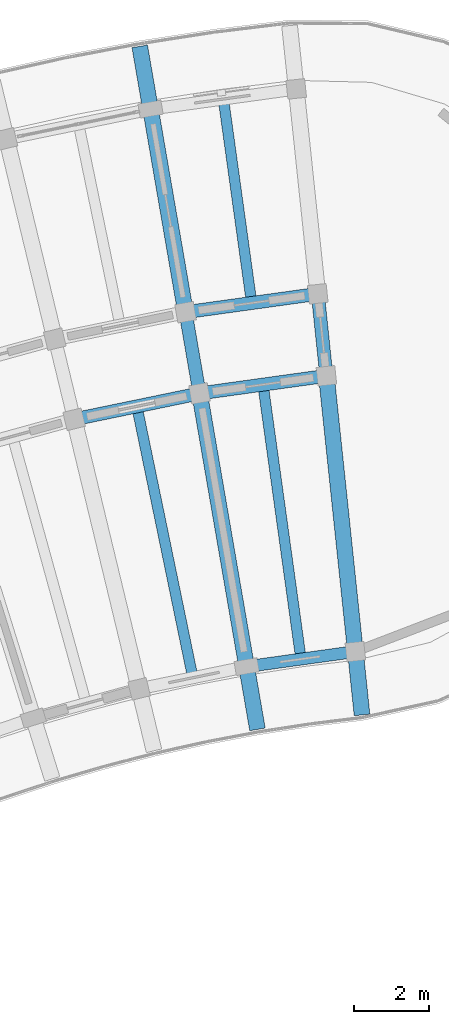
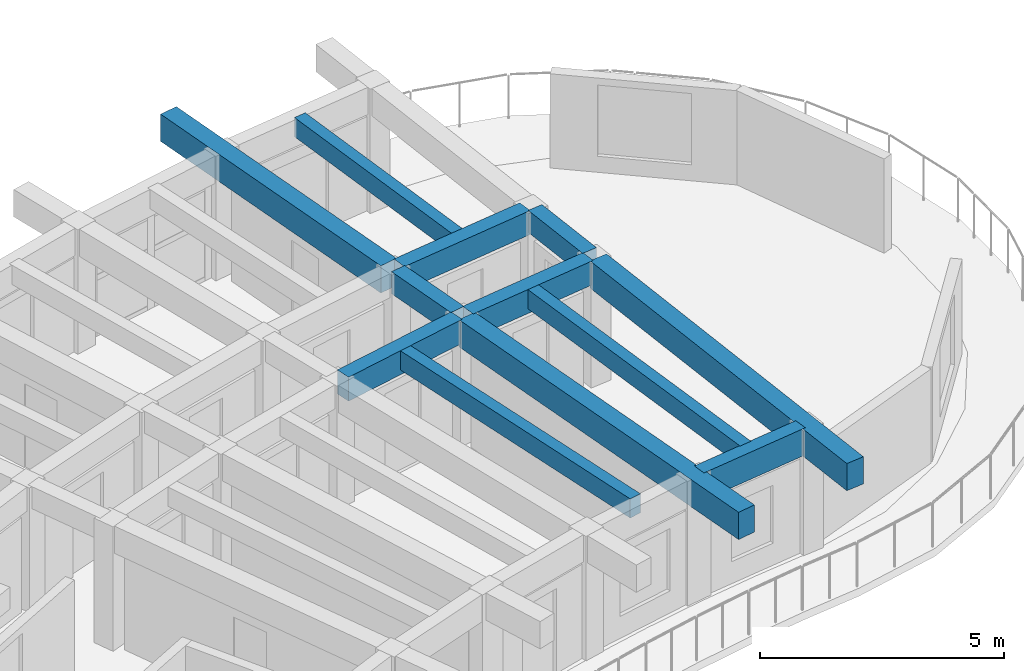
# One storey, part 17 of 83: 12 beams.
"""IFC4 building model written with IfcOpenShell, lengths in metres."""

import ifcopenshell
import ifcopenshell.guid

model = None  # the IFC model being written
_history = None  # IfcOwnerHistory: only IFC2X3 demands one
_inside = {}  # id of a spatial element -> (the spatial element, [elements in it])
_under = {}  # id of a project, library or spatial element -> (it, [spatial elements below it])
_declared = {}  # id of a project -> (the project, [libraries it declares])
_typed = {}  # id of a type object -> (the type object, [elements of that type])
_made_of = {}  # id of a material, layer set ... -> (it, [elements and type objects made of it])


def new_model(schema):
    """Start an empty IFC model of exactly this schema.

    Asked for "IFC4X3", IfcOpenShell would pick the latest addendum, in which some entities
    have other attributes; the version numbers below select the first issue.
    IFC2X3 requires an IfcOwnerHistory on every rooted entity: one is made here for all.
    """
    global model, _history
    if schema == "IFC4X3":
        model = ifcopenshell.file(schema_version=(4, 3, 0, 0))
    else:
        model = ifcopenshell.file(schema=schema)
    _inside.clear()
    _under.clear()
    _declared.clear()
    _typed.clear()
    _made_of.clear()
    _history = None
    if model.schema == "IFC2X3":
        org = make("IfcOrganization", Name="unknown")
        user = make(
            "IfcPersonAndOrganization",
            ThePerson=make("IfcPerson", FamilyName="unknown"),
            TheOrganization=org,
        )
        app = make(
            "IfcApplication",
            ApplicationDeveloper=org,
            Version="unknown",
            ApplicationFullName="unknown",
            ApplicationIdentifier="unknown",
        )
        _history = make(
            "IfcOwnerHistory",
            OwningUser=user,
            OwningApplication=app,
            ChangeAction="ADDED",
            CreationDate=0,
        )
    return model


def make(cls, **values):
    """One entity of the class cls with the attributes given. An attribute that is None is left unset."""
    return model.create_entity(
        cls, **{name: value for name, value in values.items() if value is not None}
    )


def rooted(cls, **values):
    """An entity with a GlobalId (a new one), such as an element, a storey or a relation."""
    return make(cls, GlobalId=ifcopenshell.guid.new(), OwnerHistory=_history, **values)


def si_unit(unit_type, name, prefix=None):
    """IfcSIUnit, for example si_unit("LENGTHUNIT", "METRE", prefix="MILLI")."""
    return make("IfcSIUnit", UnitType=unit_type, Prefix=prefix, Name=name)


def assignment(units):
    """IfcUnitAssignment: the units of a project."""
    return None if units is None else make("IfcUnitAssignment", Units=units)


def point(xyz):
    """IfcCartesianPoint."""
    return None if xyz is None else make("IfcCartesianPoint", Coordinates=xyz)


def direction(xyz):
    """IfcDirection."""
    return None if xyz is None else make("IfcDirection", DirectionRatios=xyz)


def frame(location, z_axis=None, x_axis=None):
    """IfcAxis2Placement3D, a coordinate frame: its origin and axes. An axis left out is left unset."""
    return make(
        "IfcAxis2Placement3D",
        Location=point(location),
        Axis=direction(z_axis),
        RefDirection=direction(x_axis),
    )


def frame_2d(location, x_axis=None):
    """IfcAxis2Placement2D, a coordinate frame in the plane: its origin and x axis."""
    return make(
        "IfcAxis2Placement2D", Location=point(location), RefDirection=direction(x_axis)
    )


def origin():
    """The frame at (0, 0, 0) with its axes left unset."""
    return frame((0.0, 0.0, 0.0))


def origin_2d():
    """The frame at (0, 0) in the plane with its x axis left unset."""
    return frame_2d((0.0, 0.0))


def place(relative_to, where):
    """IfcLocalPlacement: puts the frame where relative to a parent placement (None: the world)."""
    return make(
        "IfcLocalPlacement", PlacementRelTo=relative_to, RelativePlacement=where
    )


def context(
    kind, dimensions, precision=None, world=None, true_north=None, identifier=None
):
    """IfcGeometricRepresentationContext, for example the 3D "Model" context."""
    return make(
        "IfcGeometricRepresentationContext",
        ContextIdentifier=identifier,
        ContextType=kind,
        CoordinateSpaceDimension=dimensions,
        Precision=precision,
        WorldCoordinateSystem=world,
        TrueNorth=true_north,
    )


def subcontext(parent, identifier, kind, view, scale=None):
    """IfcGeometricRepresentationSubContext, for example "Body" below "Model"."""
    return make(
        "IfcGeometricRepresentationSubContext",
        ContextIdentifier=identifier,
        ContextType=kind,
        ParentContext=parent,
        TargetScale=scale,
        TargetView=view,
    )


def project(units=None, contexts=None):
    """IfcProject with its units and contexts."""
    return rooted(
        "IfcProject",
        Name="project",
        RepresentationContexts=contexts,
        UnitsInContext=assignment(units),
    )


def spatial(cls, under=None, at=None, **own):
    """A site, building, storey or space (cls), placed at a placement, below another one or the project."""
    s = rooted(cls, ObjectPlacement=at, **own)
    if under is not None:
        _under.setdefault(under.id(), (under, []))[1].append(s)
    return s


def profile(cls, at=None, kind="AREA", **sizes):
    """A parametric profile (cls). Its sizes go by their IFC names, for example OverallWidth=200.0."""
    return make(cls, ProfileType=kind, Position=at, **sizes)


def rectangle(**sizes):
    """IfcRectangleProfileDef."""
    return profile("IfcRectangleProfileDef", **sizes)


def extrude(swept, where, along, depth):
    """IfcExtrudedAreaSolid: the profile swept, set in the frame where, extruded along a direction by depth."""
    return make(
        "IfcExtrudedAreaSolid",
        SweptArea=swept,
        Position=where,
        ExtrudedDirection=direction(along),
        Depth=depth,
    )


def shape(context_of_items, identifier, shape_type, items):
    """IfcShapeRepresentation: the items that make up one representation, for example the "Body"."""
    return make(
        "IfcShapeRepresentation",
        ContextOfItems=context_of_items,
        RepresentationIdentifier=identifier,
        RepresentationType=shape_type,
        Items=items,
    )


def material(Name=None, Category=None):
    """IfcMaterial."""
    return make("IfcMaterial", Name=Name, Category=Category)


def material_profile(
    of_material, cross_section, Name=None, Category=None, Priority=None
):
    """IfcMaterialProfile: a cross section and its material."""
    return make(
        "IfcMaterialProfile",
        Name=Name,
        Material=of_material,
        Profile=cross_section,
        Priority=Priority,
        Category=Category,
    )


def profile_set(profiles, Name=None, composite=None):
    """IfcMaterialProfileSet."""
    return make(
        "IfcMaterialProfileSet",
        Name=Name,
        MaterialProfiles=profiles,
        CompositeProfile=composite,
    )


def made_of(thing, what):
    """Note that an element or type object is made of a material, layer set ...; save() writes the relation."""
    if what is not None:
        _made_of.setdefault(what.id(), (what, []))[1].append(thing)
    return thing


def type_object(cls, material=None, **own):
    """A type object (cls), such as IfcWallType, which elements share."""
    return made_of(rooted(cls, **own), material)


def element(
    cls,
    number,
    at=None,
    inside=None,
    cuts=None,
    type_object=None,
    material=None,
    context=None,
    identifier="Body",
    shape_type=None,
    held_by="IfcProductDefinitionShape",
    body=None,
    shapes=None,
    **own,
):
    """One element of the class cls, such as IfcWall. Its Tag is "e" and its number.

    at: its placement. inside: the storey or other place that contains it. cuts: it is an
    opening in that element (IfcRelVoidsElement). A single representation is given by context,
    identifier, shape_type and body (its items); several are given by shapes. held_by: the class
    of the entity that holds the representations. save() writes the other relations.
    """
    e = rooted(cls, Tag="e%d" % number, ObjectPlacement=at, **own)
    if body is not None:
        shapes = [shape(context, identifier, shape_type, body)]
    if shapes is not None:
        e.Representation = make(held_by, Representations=shapes)
    if inside is not None:
        _inside.setdefault(inside.id(), (inside, []))[1].append(e)
    if cuts is not None:
        rooted(
            "IfcRelVoidsElement", RelatingBuildingElement=cuts, RelatedOpeningElement=e
        )
    if type_object is not None:
        _typed.setdefault(type_object.id(), (type_object, []))[1].append(e)
    return made_of(e, material)


def aggregate(whole, parts):
    """IfcRelAggregates: a whole, such as a stair, and the parts it consists of."""
    return rooted("IfcRelAggregates", RelatingObject=whole, RelatedObjects=parts)


def save(model, path):
    """Write the relations noted so far, then the file.

    IfcRelAggregates (storeys below a building ...), IfcRelContainedInSpatialStructure (elements
    in a storey), IfcRelDefinesByType, IfcRelAssociatesMaterial and IfcRelDeclares: one each for
    every whole, place, type object, material and project.
    """
    for whole, parts in _under.values():
        aggregate(whole, parts)
    for where, things in _inside.values():
        rooted(
            "IfcRelContainedInSpatialStructure",
            RelatedElements=things,
            RelatingStructure=where,
        )
    for kind, things in _typed.values():
        rooted("IfcRelDefinesByType", RelatedObjects=things, RelatingType=kind)
    for what, things in _made_of.values():
        rooted("IfcRelAssociatesMaterial", RelatedObjects=things, RelatingMaterial=what)
    for by, libraries in _declared.values():
        rooted("IfcRelDeclares", RelatingContext=by, RelatedDefinitions=libraries)
    model.write(path)


model = new_model("IFC4")

# Units and contexts
model_context = context("Model", 3, precision=1e-05, world=origin(), true_north=direction((0.0, 1.0)))
body_context = subcontext(model_context, "Body", "Model", "MODEL_VIEW")
ifc_project = project(units=[si_unit("LENGTHUNIT", "METRE"), si_unit("AREAUNIT", "SQUARE_METRE"), si_unit("VOLUMEUNIT", "CUBIC_METRE"), si_unit("PLANEANGLEUNIT", "RADIAN"), si_unit("MASSUNIT", "GRAM", prefix="KILO")], contexts=[model_context])

# Site, building, storey
site_placement = place(None, origin())
site = spatial("IfcSite", under=ifc_project, at=site_placement, CompositionType="ELEMENT")
building_placement = place(site_placement, origin())
building = spatial("IfcBuilding", under=site, at=building_placement, Name="Tanwirah Colonnade Gardens", CompositionType="ELEMENT")
storey_placement = place(building_placement, frame((0.0, 0.0, 25.639892578125)))
storey = spatial("IfcBuildingStorey", under=building, at=storey_placement, Name="L07", CompositionType="ELEMENT", Elevation=25.639892578125)

# Beams
ifc_material_1 = material(Name="Precast concrete C40/50", Category="concrete")
ifc_material_profile_1 = material_profile(ifc_material_1, rectangle(XDim=0.35009765625, YDim=0.550048828125, at=origin_2d()), Name="PC-BM 350x550")
ifc_profile_set_1 = profile_set([ifc_material_profile_1], Name="Precast concrete C40/50")
beam_type_1 = type_object("IfcBeamType", Name="BM-PC350A", PredefinedType="BEAM", material=ifc_profile_set_1)
for number, where, z_axis, x_axis, name in (
    (1, (59.564453125, 111.9150390625, 2.835205078125), (-0.104464057197, 0.994528662611, 0.0), (-0.994528662611, -0.104464057197, 0.0), "Block A L07 Corridor Tie Beam 0"),
    (2, (56.1689453125, 111.444580078125, 2.835205078125), (-0.169855285462, 0.985469016256, 0.0), (-0.985469016256, -0.169855285462, 0.0), "Block A L07 Corridor Tie Beam 1"),
):
    element("IfcBeam", number, at=place(storey_placement, frame(where, z_axis=z_axis, x_axis=x_axis)), inside=storey, type_object=beam_type_1, Name=name, PredefinedType="BEAM", context=body_context, shape_type="SweptSolid", body=[
        extrude(rectangle(XDim=0.35009765625, YDim=0.550048828125, at=origin_2d()), origin(), (0.0, 0.0, 1.0), 1.900146484375),
    ])
ifc_material_profile_2 = material_profile(ifc_material_1, rectangle(XDim=0.35009765625, YDim=0.60009765625, at=origin_2d()), Name="PC-BM 350x600")
ifc_profile_set_2 = profile_set([ifc_material_profile_2], Name="Precast concrete C40/50")
beam_type_2 = type_object("IfcBeamType", Name="BM-PC350B", PredefinedType="BEAM", material=ifc_profile_set_2)
beam_1_placement = place(storey_placement, frame((59.431640625, 111.745361328125, 2.81005859375), z_axis=(-0.990535787723, -0.137254702069, 0.0), x_axis=(0.137254702069, -0.990535787723, 0.0)))
element("IfcBeam", 3, at=beam_1_placement, inside=storey, type_object=beam_type_2, Name="Block A L07 Circumferential Beam 0-R1", PredefinedType="BEAM", context=body_context, shape_type="SweptSolid", body=[
    extrude(rectangle(XDim=0.35009765625, YDim=0.60009765625, at=origin_2d()), origin(), (0.0, 0.0, 1.0), 3.1181640625),
])
beam_2_placement = place(storey_placement, frame((59.20166015625, 113.933349609375, 2.81005859375), z_axis=(-0.990530465749, -0.13729310406, 0.0), x_axis=(0.13729310406, -0.990530465749, 0.0)))
element("IfcBeam", 4, at=beam_2_placement, inside=storey, type_object=beam_type_2, Name="Block A L07 Circumferential Beam 0-R2", PredefinedType="BEAM", context=body_context, shape_type="SweptSolid", body=[
    extrude(rectangle(XDim=0.35009765625, YDim=0.60009765625, at=origin_2d()), origin(), (0.0, 0.0, 1.0), 3.26318359375),
])
beam_3_placement = place(storey_placement, frame((56.047607421875, 111.2666015625, 2.81005859375), z_axis=(-0.979335880607, -0.202240532428, 0.0), x_axis=(0.202240532428, -0.979335880607, 0.0)))
element("IfcBeam", 5, at=beam_3_placement, inside=storey, type_object=beam_type_2, Name="Block A L07 Circumferential Beam 1-R1", PredefinedType="BEAM", context=body_context, shape_type="SweptSolid", body=[
    extrude(rectangle(XDim=0.35009765625, YDim=0.60009765625, at=origin_2d()), origin(), (0.0, 0.0, 1.0), 3.1181640625),
])
ifc_material_2 = material(Name="Precast concrete C45/55", Category="concrete")
ifc_material_profile_3 = material_profile(ifc_material_2, rectangle(XDim=0.419921875, YDim=0.679931640625, at=origin_2d()), Name="PC-BM 420x680")
ifc_profile_set_3 = profile_set([ifc_material_profile_3], Name="Precast concrete C45/55")
beam_type_3 = type_object("IfcBeamType", Name="BM-PC420", PredefinedType="BEAM", material=ifc_profile_set_3)
for number, where, z_axis, x_axis, name in (
    (6, (59.595947265625, 111.61669921875, 2.77001953125), (0.104531425475, -0.994521584023, 0.0), (0.994521584023, 0.104531425475, 0.0), "Block A L07 Inner Radial Precast Girder 0"),
    (7, (56.219970703125, 111.14892578125, 2.77001953125), (0.169837490725, -0.985472083189, 0.0), (0.985472083189, 0.169837490725, 0.0), "Block A L07 Inner Radial Precast Girder 1"),
):
    element("IfcBeam", number, at=place(storey_placement, frame(where, z_axis=z_axis, x_axis=x_axis)), inside=storey, type_object=beam_type_3, Name=name, PredefinedType="BEAM", context=body_context, shape_type="SweptSolid", body=[
        extrude(rectangle(XDim=0.419921875, YDim=0.679931640625, at=origin_2d()), origin(), (0.0, 0.0, 1.0), 8.949951171875),
    ])
beam_4_placement = place(storey_placement, frame((55.79541015625, 113.61279296875, 2.77001953125), z_axis=(-0.169826898404, 0.985473908624, 0.0), x_axis=(-0.985473908624, -0.169826898404, 0.0)))
element("IfcBeam", 8, at=beam_4_placement, inside=storey, type_object=beam_type_3, Name="Block A L07 Outer Radial Precast Girder 1", PredefinedType="BEAM", context=body_context, shape_type="SweptSolid", body=[
    extrude(rectangle(XDim=0.419921875, YDim=0.679931640625, at=origin_2d()), origin(), (0.0, 0.0, 1.0), 7.0498046875),
])
ifc_material_profile_4 = material_profile(ifc_material_1, rectangle(XDim=0.280029296875, YDim=0.47998046875, at=origin_2d()), Name="PC-JST 280x480")
ifc_profile_set_4 = profile_set([ifc_material_profile_4], Name="Precast concrete C40/50")
beam_type_4 = type_object("IfcBeamType", Name="JST-PC280", PredefinedType="JOIST", material=ifc_profile_set_4)
beam_5_placement = place(storey_placement, frame((57.56494140625, 113.857421875, 2.8701171875), z_axis=(-0.137248344923, 0.990536668587, 0.0), x_axis=(-0.990536668587, -0.137248344923, 0.0)))
element("IfcBeam", 9, at=beam_5_placement, inside=storey, type_object=beam_type_4, Name="Block A L07 Precast Floor Joist 0", PredefinedType="JOIST", context=body_context, shape_type="SweptSolid", body=[
    extrude(rectangle(XDim=0.280029296875, YDim=0.47998046875, at=origin_2d()), origin(), (0.0, 0.0, 1.0), 5.260009765625),
])
for number, where, z_axis, x_axis, name in (
    (10, (58.882568359375, 104.34814453125, 2.8701171875), (-0.137243132462, 0.99053739081, 0.0), (-0.99053739081, -0.137243132462, 0.0), "Block A L07 Inner Precast Floor Joist 0"),
    (11, (55.987060546875, 103.84912109375, 2.8701171875), (-0.202197428816, 0.979344780851, 0.0), (-0.979344780851, -0.202197428816, 0.0), "Block A L07 Inner Precast Floor Joist 1"),
):
    element("IfcBeam", number, at=place(storey_placement, frame(where, z_axis=z_axis, x_axis=x_axis)), inside=storey, type_object=beam_type_4, Name=name, PredefinedType="JOIST", context=body_context, shape_type="SweptSolid", body=[
        extrude(rectangle(XDim=0.280029296875, YDim=0.47998046875, at=origin_2d()), origin(), (0.0, 0.0, 1.0), 7.16015625),
    ])
ifc_material_profile_5 = material_profile(ifc_material_2, rectangle(XDim=0.320068359375, YDim=0.679931640625, at=origin_2d()), Name="PC-SP 320x680")
ifc_profile_set_5 = profile_set([ifc_material_profile_5], Name="Precast concrete C45/55")
beam_type_5 = type_object("IfcBeamType", Name="SP-PC320", PredefinedType="SPANDREL", material=ifc_profile_set_5)
beam_6_placement = place(storey_placement, frame((60.205078125, 104.385986328125, 2.77001953125), z_axis=(-0.990531232354, -0.13728757311, 0.0), x_axis=(0.13728757311, -0.990531232354, 0.0)))
element("IfcBeam", 12, at=beam_6_placement, inside=storey, type_object=beam_type_5, Name="Block A L07 Circumferential Beam 0-R0", PredefinedType="SPANDREL", context=body_context, shape_type="SweptSolid", body=[
    extrude(rectangle(XDim=0.320068359375, YDim=0.679931640625, at=origin_2d()), origin(), (0.0, 0.0, 1.0), 2.630126953125),
])

save(model, "model.ifc")
